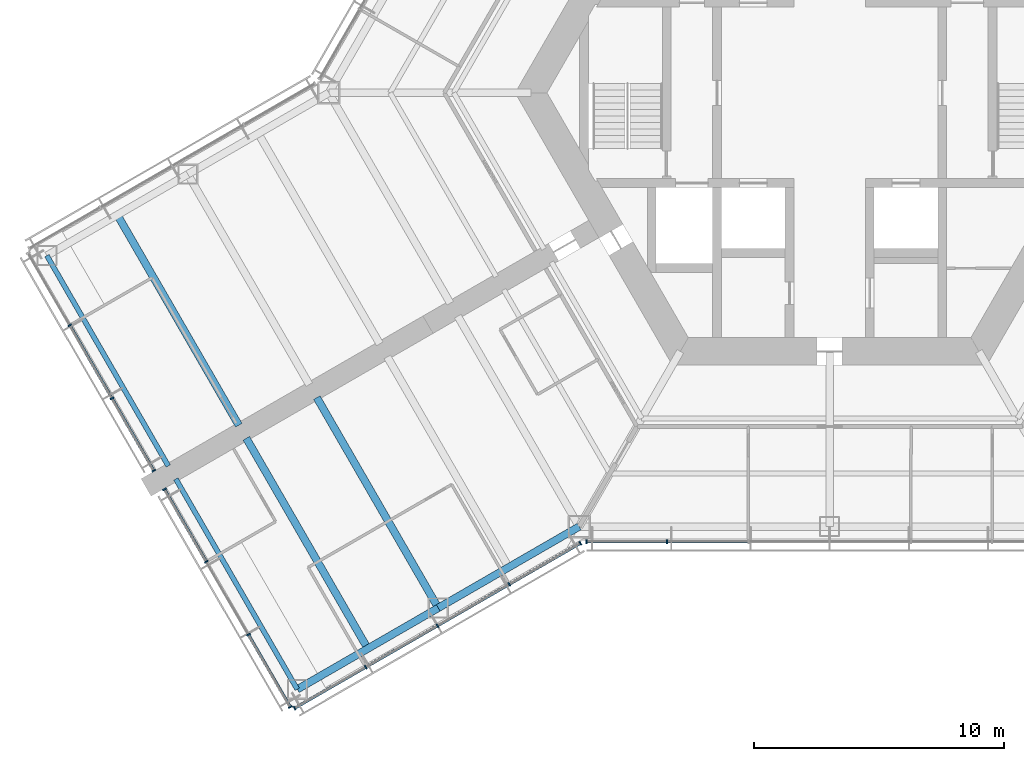
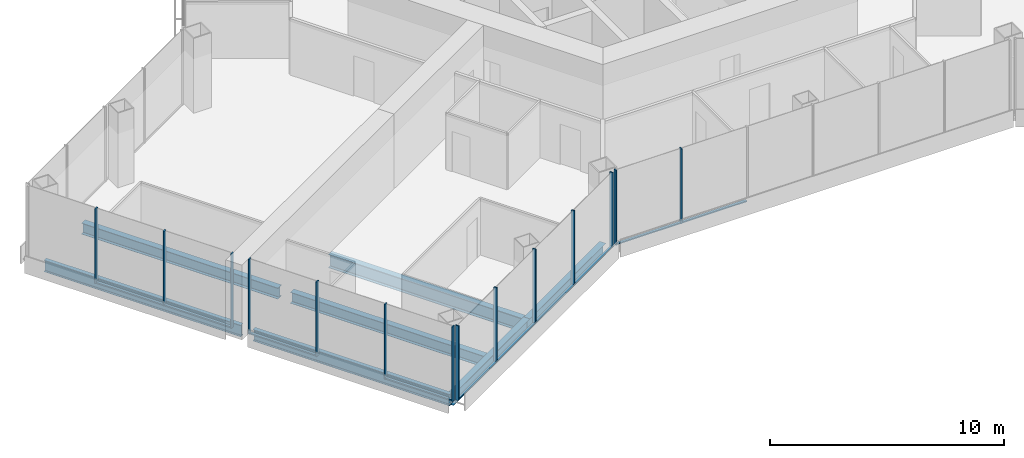
# One storey, part 2 of 19: 24 members, 7 beams, 4 elements without a shape of their own.
"""IFC4 building model written with IfcOpenShell, lengths in metres."""

from ifc_helpers import new_model, si_unit, direction, frame, origin, origin_2d, place, context, subcontext, project, spatial, rectangle, i_section, extrude, material, material_profile, profile_set, type_object, element, aggregate, save


model = new_model("IFC4")

# Units and contexts
model_context = context("Model", 3, precision=1e-05, world=origin(), true_north=direction((0.0, 1.0)))
body_context = subcontext(model_context, "Body", "Model", "MODEL_VIEW")
ifc_project = project(units=[si_unit("LENGTHUNIT", "METRE"), si_unit("AREAUNIT", "SQUARE_METRE"), si_unit("VOLUMEUNIT", "CUBIC_METRE"), si_unit("PLANEANGLEUNIT", "RADIAN"), si_unit("MASSUNIT", "GRAM", prefix="KILO")], contexts=[model_context])

# Site, building, storey
site_placement = place(None, origin())
site = spatial("IfcSite", under=ifc_project, at=site_placement, CompositionType="ELEMENT")
building_placement = place(site_placement, origin())
building = spatial("IfcBuilding", under=site, at=building_placement, Name="Kasaneha Research Tower", CompositionType="ELEMENT")
storey_placement = place(building_placement, frame((0.0, 0.0, 88.5)))
storey = spatial("IfcBuildingStorey", under=building, at=storey_placement, Name="L22", CompositionType="ELEMENT", Elevation=88.5)

# Beams
ifc_material_1 = material(Name="Steel SN490B", Category="steel")
ifc_material_profile_1 = material_profile(ifc_material_1, i_section(OverallWidth=0.300048828125, OverallDepth=0.58203125, WebThickness=0.011962890625, FlangeThickness=0.01708984375, FilletRadius=0.012939453125, at=origin_2d()), Name="H-582x300x12x17")
ifc_profile_set_1 = profile_set([ifc_material_profile_1], Name="Steel SN490B")
beam_type_1 = type_object("IfcBeamType", Name="B2-3 secondary beam H-582x300x12x17", PredefinedType="JOIST", material=ifc_profile_set_1)
for number, where, z_axis, x_axis, name in (
    (1, (-28.44384765625, -4.875, -0.44091796875), (0.500010041276, -0.866019606374, 0.0), (0.866019606374, 0.500010041276, 0.0), "Secondary beam WBBP2 L22"),
    (2, (-18.44384765625, -22.195556640625, -0.44091796875), (-0.499991164321, 0.866030505006, 0.0), (-0.866030505006, -0.499991164321, 0.0), "Secondary beam WBBN2 L22"),
):
    element("IfcBeam", number, at=place(storey_placement, frame(where, z_axis=z_axis, x_axis=x_axis)), inside=storey, type_object=beam_type_1, Name=name, PredefinedType="JOIST", context=body_context, shape_type="SweptSolid", body=[
        extrude(i_section(OverallWidth=0.300048828125, OverallDepth=0.58203125, WebThickness=0.011962890625, FlangeThickness=0.01708984375, FilletRadius=0.012939453125, at=origin_2d()), origin(), (0.0, 0.0, 1.0), 9.699951171875),
    ])

# Curtain wall, members
ifc_material_2 = material(Name="Glass and aluminium", Category="aluminium")
curtain_wall_type = type_object("IfcCurtainWallType", Name="Low-rise office curtain wall", PredefinedType="USERDEFINED", material=ifc_material_2)
curtain_wall_1_placement = place(storey_placement, origin())
curtain_wall_1 = element("IfcCurtainWall", 3, at=curtain_wall_1_placement, inside=storey, type_object=curtain_wall_type, Name="CW-O1 L22 run 01a", ObjectType="UNITISED CURTAIN WALL", PredefinedType="USERDEFINED")
ifc_material_3 = material(Name="Aluminium 6063-T6", Category="aluminium")
ifc_material_profile_2 = material_profile(ifc_material_3, rectangle(XDim=0.06005859375, YDim=0.159912109375, at=origin_2d()), Name="CW-O1 mullion 60x160")
ifc_profile_set_2 = profile_set([ifc_material_profile_2], Name="Aluminium 6063-T6")
member_type_1 = type_object("IfcMemberType", Name="CW-O1 mullion", PredefinedType="MULLION", material=ifc_profile_set_2)
member_1_placement = place(storey_placement, frame((-21.365478515625, -24.5751953125, 0.0), z_axis=(0.0, 0.0, 1.0), x_axis=(0.866025411464, 0.499999986699, 0.0)))
member_1 = element("IfcMember", 4, at=member_1_placement, type_object=member_type_1, Name="CW-O1 mullion 1", PredefinedType="MULLION", context=body_context, shape_type="SweptSolid", body=[
    extrude(rectangle(XDim=0.06005859375, YDim=0.159912109375, at=origin_2d()), origin(), (0.0, 0.0, 1.0), 3.89990234375),
])
member_2_placement = place(storey_placement, frame((-18.52490234375, -22.935302734375, 0.0), z_axis=(0.0, 0.0, 1.0), x_axis=(0.866025411464, 0.499999986699, 0.0)))
member_2 = element("IfcMember", 5, at=member_2_placement, type_object=member_type_1, Name="CW-O1 mullion 2", PredefinedType="MULLION", context=body_context, shape_type="SweptSolid", body=[
    extrude(rectangle(XDim=0.06005859375, YDim=0.159912109375, at=origin_2d()), origin(), (0.0, 0.0, 1.0), 3.89990234375),
])
member_3_placement = place(storey_placement, frame((-15.65869140625, -21.2802734375, 0.0), z_axis=(0.0, 0.0, 1.0), x_axis=(0.866025411464, 0.499999986699, 0.0)))
member_3 = element("IfcMember", 6, at=member_3_placement, type_object=member_type_1, Name="CW-O1 mullion 3", PredefinedType="MULLION", context=body_context, shape_type="SweptSolid", body=[
    extrude(rectangle(XDim=0.06005859375, YDim=0.159912109375, at=origin_2d()), origin(), (0.0, 0.0, 1.0), 3.89990234375),
])
member_4_placement = place(storey_placement, frame((-12.792236328125, -19.62548828125, 0.0), z_axis=(0.0, 0.0, 1.0), x_axis=(0.866025411464, 0.499999986699, 0.0)))
member_4 = element("IfcMember", 7, at=member_4_placement, type_object=member_type_1, Name="CW-O1 mullion 4", PredefinedType="MULLION", context=body_context, shape_type="SweptSolid", body=[
    extrude(rectangle(XDim=0.06005859375, YDim=0.159912109375, at=origin_2d()), origin(), (0.0, 0.0, 1.0), 3.89990234375),
])
member_5_placement = place(storey_placement, frame((-9.951904296875, -17.985595703125, 0.0), z_axis=(0.0, 0.0, 1.0), x_axis=(0.866025411464, 0.499999986699, 0.0)))
member_5 = element("IfcMember", 8, at=member_5_placement, type_object=member_type_1, Name="CW-O1 mullion 5", PredefinedType="MULLION", context=body_context, shape_type="SweptSolid", body=[
    extrude(rectangle(XDim=0.06005859375, YDim=0.159912109375, at=origin_2d()), origin(), (0.0, 0.0, 1.0), 3.89990234375),
])

curtain_wall_2_placement = place(storey_placement, origin())
curtain_wall_2 = element("IfcCurtainWall", 9, at=curtain_wall_2_placement, inside=storey, type_object=curtain_wall_type, Name="CW-O1 L22 run 02a", ObjectType="UNITISED CURTAIN WALL", PredefinedType="USERDEFINED")
member_6_placement = place(storey_placement, frame((-9.709228515625, -17.92041015625, 0.0), z_axis=(0.0, 0.0, 1.0), x_axis=(1.0, 0.0, 0.0)))
member_6 = element("IfcMember", 10, at=member_6_placement, type_object=member_type_1, Name="CW-O1 mullion 1", PredefinedType="MULLION", context=body_context, shape_type="SweptSolid", body=[
    extrude(rectangle(XDim=0.06005859375, YDim=0.159912109375, at=origin_2d()), origin(), (0.0, 0.0, 1.0), 3.89990234375),
])
member_7_placement = place(storey_placement, frame((-6.492919921875, -17.92041015625, 0.0), z_axis=(0.0, 0.0, 1.0), x_axis=(1.0, 0.0, 0.0)))
member_7 = element("IfcMember", 11, at=member_7_placement, type_object=member_type_1, Name="CW-O1 mullion 2", PredefinedType="MULLION", context=body_context, shape_type="SweptSolid", body=[
    extrude(rectangle(XDim=0.06005859375, YDim=0.159912109375, at=origin_2d()), origin(), (0.0, 0.0, 1.0), 3.89990234375),
])

curtain_wall_3_placement = place(storey_placement, origin())
curtain_wall_3 = element("IfcCurtainWall", 12, at=curtain_wall_3_placement, inside=storey, type_object=curtain_wall_type, Name="CW-O1 L22 run 14a", ObjectType="UNITISED CURTAIN WALL", PredefinedType="USERDEFINED")
member_8_placement = place(storey_placement, frame((-30.3447265625, -9.28271484375, 0.0), z_axis=(0.0, 0.0, 1.0), x_axis=(0.500000011442, -0.866025397178, 0.0)))
member_8 = element("IfcMember", 13, at=member_8_placement, type_object=member_type_1, Name="CW-O1 mullion 2", PredefinedType="MULLION", context=body_context, shape_type="SweptSolid", body=[
    extrude(rectangle(XDim=0.06005859375, YDim=0.159912109375, at=origin_2d()), origin(), (0.0, 0.0, 1.0), 3.89990234375),
])
member_9_placement = place(storey_placement, frame((-28.661376953125, -12.1982421875, 0.0), z_axis=(0.0, 0.0, 1.0), x_axis=(0.500000011442, -0.866025397178, 0.0)))
member_9 = element("IfcMember", 14, at=member_9_placement, type_object=member_type_1, Name="CW-O1 mullion 3", PredefinedType="MULLION", context=body_context, shape_type="SweptSolid", body=[
    extrude(rectangle(XDim=0.06005859375, YDim=0.159912109375, at=origin_2d()), origin(), (0.0, 0.0, 1.0), 3.89990234375),
])
member_10_placement = place(storey_placement, frame((-26.992919921875, -15.087890625, 0.0), z_axis=(0.0, 0.0, 1.0), x_axis=(0.500000011442, -0.866025397178, 0.0)))
member_10 = element("IfcMember", 15, at=member_10_placement, type_object=member_type_1, Name="CW-O1 mullion 4", PredefinedType="MULLION", context=body_context, shape_type="SweptSolid", body=[
    extrude(rectangle(XDim=0.06005859375, YDim=0.159912109375, at=origin_2d()), origin(), (0.0, 0.0, 1.0), 3.89990234375),
])

curtain_wall_4_placement = place(storey_placement, origin())
curtain_wall_4 = element("IfcCurtainWall", 16, at=curtain_wall_4_placement, inside=storey, type_object=curtain_wall_type, Name="CW-O1 L22 run 15a", ObjectType="UNITISED CURTAIN WALL", PredefinedType="USERDEFINED")
member_11_placement = place(storey_placement, frame((-26.56298828125, -15.832763671875, 0.0), z_axis=(0.0, 0.0, 1.0), x_axis=(0.500000011442, -0.866025397178, 0.0)))
member_11 = element("IfcMember", 17, at=member_11_placement, type_object=member_type_1, Name="CW-O1 mullion 1", PredefinedType="MULLION", context=body_context, shape_type="SweptSolid", body=[
    extrude(rectangle(XDim=0.06005859375, YDim=0.159912109375, at=origin_2d()), origin(), (0.0, 0.0, 1.0), 3.89990234375),
])
member_12_placement = place(storey_placement, frame((-24.89453125, -18.72216796875, 0.0), z_axis=(0.0, 0.0, 1.0), x_axis=(0.500000011442, -0.866025397178, 0.0)))
member_12 = element("IfcMember", 18, at=member_12_placement, type_object=member_type_1, Name="CW-O1 mullion 2", PredefinedType="MULLION", context=body_context, shape_type="SweptSolid", body=[
    extrude(rectangle(XDim=0.06005859375, YDim=0.159912109375, at=origin_2d()), origin(), (0.0, 0.0, 1.0), 3.89990234375),
])
member_13_placement = place(storey_placement, frame((-23.211181640625, -21.637939453125, 0.0), z_axis=(0.0, 0.0, 1.0), x_axis=(0.500000011442, -0.866025397178, 0.0)))
member_13 = element("IfcMember", 19, at=member_13_placement, type_object=member_type_1, Name="CW-O1 mullion 3", PredefinedType="MULLION", context=body_context, shape_type="SweptSolid", body=[
    extrude(rectangle(XDim=0.06005859375, YDim=0.159912109375, at=origin_2d()), origin(), (0.0, 0.0, 1.0), 3.89990234375),
])
member_14_placement = place(storey_placement, frame((-21.54296875, -24.527587890625, 0.0), z_axis=(0.0, 0.0, 1.0), x_axis=(0.500000011442, -0.866025397178, 0.0)))
member_14 = element("IfcMember", 20, at=member_14_placement, type_object=member_type_1, Name="CW-O1 mullion 4", PredefinedType="MULLION", context=body_context, shape_type="SweptSolid", body=[
    extrude(rectangle(XDim=0.06005859375, YDim=0.159912109375, at=origin_2d()), origin(), (0.0, 0.0, 1.0), 3.89990234375),
])

# Member
ifc_material_4 = material(Name="Aluminium 6063-T6", Category="aluminium")
ifc_material_profile_3 = material_profile(ifc_material_4, rectangle(XDim=0.1201171875, YDim=0.06005859375, at=origin_2d()), Name="CW-O1 transom 120x60")
ifc_profile_set_3 = profile_set([ifc_material_profile_3], Name="Aluminium 6063-T6")
member_type_2 = type_object("IfcMemberType", Name="CW-O1 transom", PredefinedType="USERDEFINED", material=ifc_profile_set_3)
member_15_placement = place(storey_placement, frame((-21.33935546875, -24.56005859375, 0.030029296875), z_axis=(0.866022692473, 0.500004696101, 0.0), x_axis=(-0.500004696101, 0.866022692473, 0.0)))
member_15 = element("IfcMember", 21, at=member_15_placement, type_object=member_type_2, Name="CW-O1 transom 1", ObjectType="TRANSOM", PredefinedType="USERDEFINED", context=body_context, shape_type="SweptSolid", body=[
    extrude(rectangle(XDim=0.1201171875, YDim=0.06005859375, at=origin_2d()), origin(), (0.0, 0.0, 1.0), 3.2197265625),
])

member_16_placement = place(storey_placement, frame((-18.4990234375, -22.920166015625, 0.030029296875), z_axis=(0.86604797581, 0.499960902066, 0.0), x_axis=(-0.499960902066, 0.86604797581, 0.0)))
member_16 = element("IfcMember", 22, at=member_16_placement, type_object=member_type_2, Name="CW-O1 transom 2", ObjectType="TRANSOM", PredefinedType="USERDEFINED", context=body_context, shape_type="SweptSolid", body=[
    extrude(rectangle(XDim=0.1201171875, YDim=0.06005859375, at=origin_2d()), origin(), (0.0, 0.0, 1.0), 3.249755859375),
])

member_17_placement = place(storey_placement, frame((-15.632568359375, -21.265380859375, 0.030029296875), z_axis=(0.866015446554, 0.500017246033, 0.0), x_axis=(-0.500017246033, 0.866015446554, 0.0)))
member_17 = element("IfcMember", 23, at=member_17_placement, type_object=member_type_2, Name="CW-O1 transom 3", ObjectType="TRANSOM", PredefinedType="USERDEFINED", context=body_context, shape_type="SweptSolid", body=[
    extrude(rectangle(XDim=0.1201171875, YDim=0.06005859375, at=origin_2d()), origin(), (0.0, 0.0, 1.0), 3.25),
])

member_18_placement = place(storey_placement, frame((-12.76611328125, -19.6103515625, 0.030029296875), z_axis=(0.866022692473, 0.500004696101, 0.0), x_axis=(-0.500004696101, 0.866022692473, 0.0)))
member_18 = element("IfcMember", 24, at=member_18_placement, type_object=member_type_2, Name="CW-O1 transom 4", ObjectType="TRANSOM", PredefinedType="USERDEFINED", context=body_context, shape_type="SweptSolid", body=[
    extrude(rectangle(XDim=0.1201171875, YDim=0.06005859375, at=origin_2d()), origin(), (0.0, 0.0, 1.0), 3.2197265625),
])

aggregate(curtain_wall_1, [member_1, member_2, member_3, member_4, member_5, member_15, member_16, member_17, member_18])

member_19_placement = place(storey_placement, frame((-9.67919921875, -17.92041015625, 0.030029296875), z_axis=(1.0, 0.0, 0.0), x_axis=(0.0, 1.0, 0.0)))
member_19 = element("IfcMember", 25, at=member_19_placement, type_object=member_type_2, Name="CW-O1 transom 1", ObjectType="TRANSOM", PredefinedType="USERDEFINED", context=body_context, shape_type="SweptSolid", body=[
    extrude(rectangle(XDim=0.1201171875, YDim=0.06005859375, at=origin_2d()), origin(), (0.0, 0.0, 1.0), 3.156494140625),
])

member_20_placement = place(storey_placement, frame((-6.462890625, -17.92041015625, 0.030029296875), z_axis=(1.0, 0.0, 0.0), x_axis=(0.0, 1.0, 0.0)))
member_20 = element("IfcMember", 26, at=member_20_placement, type_object=member_type_2, Name="CW-O1 transom 2", ObjectType="TRANSOM", PredefinedType="USERDEFINED", context=body_context, shape_type="SweptSolid", body=[
    extrude(rectangle(XDim=0.1201171875, YDim=0.06005859375, at=origin_2d()), origin(), (0.0, 0.0, 1.0), 3.1865234375),
])

aggregate(curtain_wall_2, [member_6, member_7, member_19, member_20])

member_21_placement = place(storey_placement, frame((-30.32958984375, -9.30859375, 0.030029296875), z_axis=(0.499982354831, -0.866035590988, 0.0), x_axis=(0.866035590988, 0.499982354831, 0.0)))
member_21 = element("IfcMember", 27, at=member_21_placement, type_object=member_type_2, Name="CW-O1 transom 2", ObjectType="TRANSOM", PredefinedType="USERDEFINED", context=body_context, shape_type="SweptSolid", body=[
    extrude(rectangle(XDim=0.1201171875, YDim=0.06005859375, at=origin_2d()), origin(), (0.0, 0.0, 1.0), 3.306640625),
])

member_22_placement = place(storey_placement, frame((-28.646240234375, -12.22412109375, 0.030029296875), z_axis=(0.499969700927, -0.866042896256, 0.0), x_axis=(0.866042896256, 0.499969700927, 0.0)))
member_22 = element("IfcMember", 28, at=member_22_placement, type_object=member_type_2, Name="CW-O1 transom 3", ObjectType="TRANSOM", PredefinedType="USERDEFINED", context=body_context, shape_type="SweptSolid", body=[
    extrude(rectangle(XDim=0.1201171875, YDim=0.06005859375, at=origin_2d()), origin(), (0.0, 0.0, 1.0), 3.276611328125),
])

aggregate(curtain_wall_3, [member_8, member_9, member_10, member_21, member_22])

member_23_placement = place(storey_placement, frame((-26.5478515625, -15.858642578125, 0.030029296875), z_axis=(0.499969700927, -0.866042896256, 0.0), x_axis=(0.866042896256, 0.499969700927, 0.0)))
member_23 = element("IfcMember", 29, at=member_23_placement, type_object=member_type_2, Name="CW-O1 transom 1", ObjectType="TRANSOM", PredefinedType="USERDEFINED", context=body_context, shape_type="SweptSolid", body=[
    extrude(rectangle(XDim=0.1201171875, YDim=0.06005859375, at=origin_2d()), origin(), (0.0, 0.0, 1.0), 3.276611328125),
])

member_24_placement = place(storey_placement, frame((-23.1962890625, -21.663818359375, 0.030029296875), z_axis=(0.500025583411, -0.866010632691, 0.0), x_axis=(0.866010632691, 0.500025583411, 0.0)))
member_24 = element("IfcMember", 30, at=member_24_placement, type_object=member_type_2, Name="CW-O1 transom 3", ObjectType="TRANSOM", PredefinedType="USERDEFINED", context=body_context, shape_type="SweptSolid", body=[
    extrude(rectangle(XDim=0.1201171875, YDim=0.06005859375, at=origin_2d()), origin(), (0.0, 0.0, 1.0), 3.276611328125),
])

aggregate(curtain_wall_4, [member_11, member_12, member_13, member_14, member_23, member_24])

# Beams
ifc_material_5 = material(Name="Steel SN490B", Category="steel")
ifc_material_profile_4 = material_profile(ifc_material_5, i_section(OverallWidth=0.300048828125, OverallDepth=0.699951171875, WebThickness=0.012939453125, FlangeThickness=0.02392578125, FilletRadius=0.01806640625, at=origin_2d()), Name="H-700x300x13x24")
ifc_profile_set_4 = profile_set([ifc_material_profile_4], Name="Steel SN490B")
beam_type_2 = type_object("IfcBeamType", Name="G4-3 wing girder H-700x300x13x24", PredefinedType="BEAM", material=ifc_profile_set_4)
beam_placement = place(storey_placement, frame((-15.629150390625, -20.570556640625, -0.5), z_axis=(-0.500010041276, 0.866019606374, 0.0), x_axis=(-0.866019606374, -0.500010041276, 0.0)))
element("IfcBeam", 31, at=beam_placement, inside=storey, type_object=beam_type_2, Name="Wing girder WGBN L22", PredefinedType="BEAM", context=body_context, shape_type="SweptSolid", body=[
    extrude(i_section(OverallWidth=0.300048828125, OverallDepth=0.699951171875, WebThickness=0.012939453125, FlangeThickness=0.02392578125, FilletRadius=0.01806640625, at=origin_2d()), origin(), (0.0, 0.0, 1.0), 9.699951171875),
])
ifc_material_6 = material(Name="Steel SN490B", Category="steel")
ifc_material_profile_5 = material_profile(ifc_material_6, i_section(OverallWidth=0.300048828125, OverallDepth=0.58203125, WebThickness=0.011962890625, FlangeThickness=0.01708984375, FilletRadius=0.012939453125, at=origin_2d()), Name="H-582x300x12x17")
ifc_profile_set_5 = profile_set([ifc_material_profile_5], Name="Steel SN490B")
beam_type_3 = type_object("IfcBeamType", Name="SB2-3 spandrel beam H-582x300x12x17", PredefinedType="SPANDREL", material=ifc_profile_set_5)
for number, where, z_axis, x_axis, name in (
    (32, (-10.0, -17.320556640625, -0.44091796875), (-0.866024837091, -0.50000098154, 0.0), (0.50000098154, -0.866024837091, 0.0), "Spandrel beam WSBN1 L22"),
    (33, (-15.629150390625, -20.570556640625, -0.44091796875), (-0.866024837091, -0.50000098154, 0.0), (0.50000098154, -0.866024837091, 0.0), "Spandrel beam WSBN2 L22"),
):
    element("IfcBeam", number, at=place(storey_placement, frame(where, z_axis=z_axis, x_axis=x_axis)), inside=storey, type_object=beam_type_3, Name=name, PredefinedType="SPANDREL", context=body_context, shape_type="SweptSolid", body=[
        extrude(i_section(OverallWidth=0.300048828125, OverallDepth=0.58203125, WebThickness=0.011962890625, FlangeThickness=0.01708984375, FilletRadius=0.012939453125, at=origin_2d()), origin(), (0.0, 0.0, 1.0), 6.5),
    ])
ifc_material_7 = material(Name="Steel SN490B", Category="steel")
ifc_material_profile_6 = material_profile(ifc_material_7, i_section(OverallWidth=0.199951171875, OverallDepth=0.60009765625, WebThickness=0.010986328125, FlangeThickness=0.01708984375, FilletRadius=0.012939453125, at=origin_2d()), Name="H-600x200x11x17")
ifc_profile_set_6 = profile_set([ifc_material_profile_6], Name="Steel SN490B")
beam_type_4 = type_object("IfcBeamType", Name="SB3-3 spandrel beam H-600x200x11x17", PredefinedType="SPANDREL", material=ifc_profile_set_6)
for number, where, z_axis, x_axis, name in (
    (34, (-31.25830078125, -6.5, -0.449951171875), (0.499991164321, -0.866030505006, 0.0), (0.866030505006, 0.499991164321, 0.0), "Spandrel beam WTBP L22"),
    (35, (-21.25830078125, -23.820556640625, -0.449951171875), (-0.500010041276, 0.866019606374, 0.0), (-0.866019606374, -0.500010041276, 0.0), "Spandrel beam WTBN L22"),
):
    element("IfcBeam", number, at=place(storey_placement, frame(where, z_axis=z_axis, x_axis=x_axis)), inside=storey, type_object=beam_type_4, Name=name, PredefinedType="SPANDREL", context=body_context, shape_type="SweptSolid", body=[
        extrude(i_section(OverallWidth=0.199951171875, OverallDepth=0.60009765625, WebThickness=0.010986328125, FlangeThickness=0.01708984375, FilletRadius=0.012939453125, at=origin_2d()), origin(), (0.0, 0.0, 1.0), 9.699951171875),
    ])

save(model, "model.ifc")
